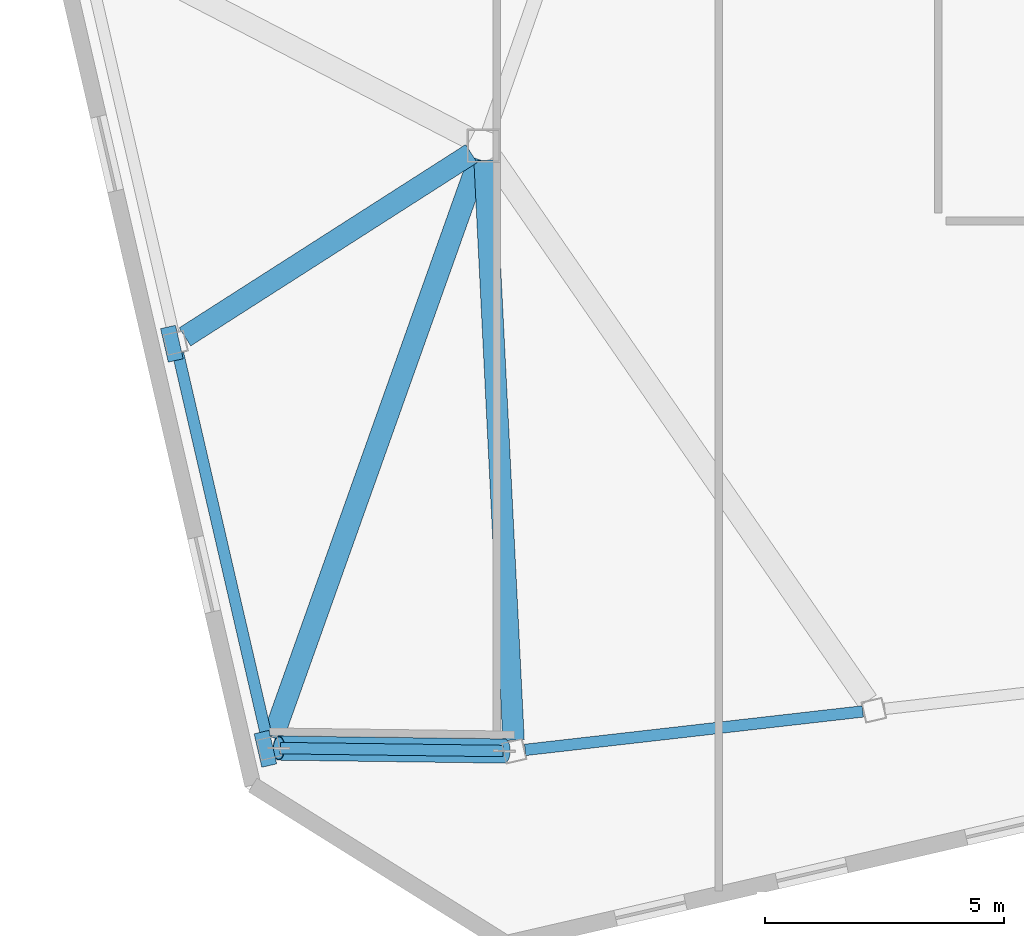
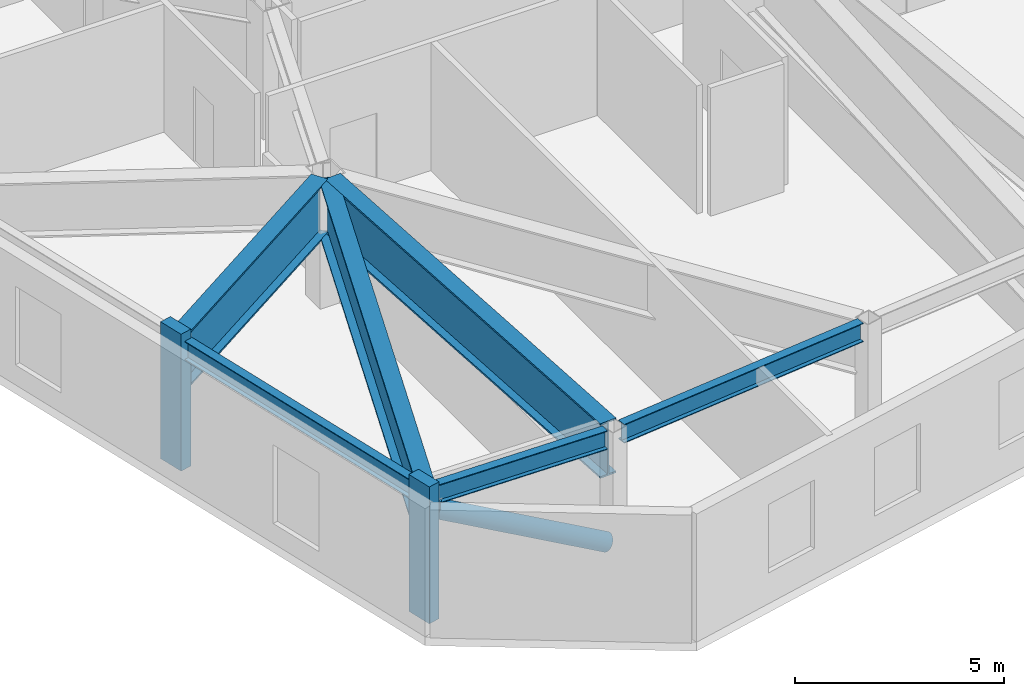
# One storey, part 5 of 23: 6 beams, 3 members.
"""IFC4 building model written with IfcOpenShell, lengths in metres."""

import ifcopenshell
import ifcopenshell.guid

model = None  # the IFC model being written
_history = None  # IfcOwnerHistory: only IFC2X3 demands one
_inside = {}  # id of a spatial element -> (the spatial element, [elements in it])
_under = {}  # id of a project, library or spatial element -> (it, [spatial elements below it])
_declared = {}  # id of a project -> (the project, [libraries it declares])
_typed = {}  # id of a type object -> (the type object, [elements of that type])
_made_of = {}  # id of a material, layer set ... -> (it, [elements and type objects made of it])


def new_model(schema):
    """Start an empty IFC model of exactly this schema.

    Asked for "IFC4X3", IfcOpenShell would pick the latest addendum, in which some entities
    have other attributes; the version numbers below select the first issue.
    IFC2X3 requires an IfcOwnerHistory on every rooted entity: one is made here for all.
    """
    global model, _history
    if schema == "IFC4X3":
        model = ifcopenshell.file(schema_version=(4, 3, 0, 0))
    else:
        model = ifcopenshell.file(schema=schema)
    _inside.clear()
    _under.clear()
    _declared.clear()
    _typed.clear()
    _made_of.clear()
    _history = None
    if model.schema == "IFC2X3":
        org = make("IfcOrganization", Name="unknown")
        user = make(
            "IfcPersonAndOrganization",
            ThePerson=make("IfcPerson", FamilyName="unknown"),
            TheOrganization=org,
        )
        app = make(
            "IfcApplication",
            ApplicationDeveloper=org,
            Version="unknown",
            ApplicationFullName="unknown",
            ApplicationIdentifier="unknown",
        )
        _history = make(
            "IfcOwnerHistory",
            OwningUser=user,
            OwningApplication=app,
            ChangeAction="ADDED",
            CreationDate=0,
        )
    return model


def make(cls, **values):
    """One entity of the class cls with the attributes given. An attribute that is None is left unset."""
    return model.create_entity(
        cls, **{name: value for name, value in values.items() if value is not None}
    )


def rooted(cls, **values):
    """An entity with a GlobalId (a new one), such as an element, a storey or a relation."""
    return make(cls, GlobalId=ifcopenshell.guid.new(), OwnerHistory=_history, **values)


def si_unit(unit_type, name, prefix=None):
    """IfcSIUnit, for example si_unit("LENGTHUNIT", "METRE", prefix="MILLI")."""
    return make("IfcSIUnit", UnitType=unit_type, Prefix=prefix, Name=name)


def assignment(units):
    """IfcUnitAssignment: the units of a project."""
    return None if units is None else make("IfcUnitAssignment", Units=units)


def point(xyz):
    """IfcCartesianPoint."""
    return None if xyz is None else make("IfcCartesianPoint", Coordinates=xyz)


def direction(xyz):
    """IfcDirection."""
    return None if xyz is None else make("IfcDirection", DirectionRatios=xyz)


def frame(location, z_axis=None, x_axis=None):
    """IfcAxis2Placement3D, a coordinate frame: its origin and axes. An axis left out is left unset."""
    return make(
        "IfcAxis2Placement3D",
        Location=point(location),
        Axis=direction(z_axis),
        RefDirection=direction(x_axis),
    )


def frame_2d(location, x_axis=None):
    """IfcAxis2Placement2D, a coordinate frame in the plane: its origin and x axis."""
    return make(
        "IfcAxis2Placement2D", Location=point(location), RefDirection=direction(x_axis)
    )


def origin():
    """The frame at (0, 0, 0) with its axes left unset."""
    return frame((0.0, 0.0, 0.0))


def origin_2d():
    """The frame at (0, 0) in the plane with its x axis left unset."""
    return frame_2d((0.0, 0.0))


def place(relative_to, where):
    """IfcLocalPlacement: puts the frame where relative to a parent placement (None: the world)."""
    return make(
        "IfcLocalPlacement", PlacementRelTo=relative_to, RelativePlacement=where
    )


def context(
    kind, dimensions, precision=None, world=None, true_north=None, identifier=None
):
    """IfcGeometricRepresentationContext, for example the 3D "Model" context."""
    return make(
        "IfcGeometricRepresentationContext",
        ContextIdentifier=identifier,
        ContextType=kind,
        CoordinateSpaceDimension=dimensions,
        Precision=precision,
        WorldCoordinateSystem=world,
        TrueNorth=true_north,
    )


def subcontext(parent, identifier, kind, view, scale=None):
    """IfcGeometricRepresentationSubContext, for example "Body" below "Model"."""
    return make(
        "IfcGeometricRepresentationSubContext",
        ContextIdentifier=identifier,
        ContextType=kind,
        ParentContext=parent,
        TargetScale=scale,
        TargetView=view,
    )


def project(units=None, contexts=None):
    """IfcProject with its units and contexts."""
    return rooted(
        "IfcProject",
        Name="project",
        RepresentationContexts=contexts,
        UnitsInContext=assignment(units),
    )


def spatial(cls, under=None, at=None, **own):
    """A site, building, storey or space (cls), placed at a placement, below another one or the project."""
    s = rooted(cls, ObjectPlacement=at, **own)
    if under is not None:
        _under.setdefault(under.id(), (under, []))[1].append(s)
    return s


def profile(cls, at=None, kind="AREA", **sizes):
    """A parametric profile (cls). Its sizes go by their IFC names, for example OverallWidth=200.0."""
    return make(cls, ProfileType=kind, Position=at, **sizes)


def rectangle(**sizes):
    """IfcRectangleProfileDef."""
    return profile("IfcRectangleProfileDef", **sizes)


def hollow_circle(**sizes):
    """IfcCircleHollowProfileDef."""
    return profile("IfcCircleHollowProfileDef", **sizes)


def i_section(**sizes):
    """IfcIShapeProfileDef."""
    return profile("IfcIShapeProfileDef", **sizes)


def extrude(swept, where, along, depth):
    """IfcExtrudedAreaSolid: the profile swept, set in the frame where, extruded along a direction by depth."""
    return make(
        "IfcExtrudedAreaSolid",
        SweptArea=swept,
        Position=where,
        ExtrudedDirection=direction(along),
        Depth=depth,
    )


def shape(context_of_items, identifier, shape_type, items):
    """IfcShapeRepresentation: the items that make up one representation, for example the "Body"."""
    return make(
        "IfcShapeRepresentation",
        ContextOfItems=context_of_items,
        RepresentationIdentifier=identifier,
        RepresentationType=shape_type,
        Items=items,
    )


def material(Name=None, Category=None):
    """IfcMaterial."""
    return make("IfcMaterial", Name=Name, Category=Category)


def material_profile(
    of_material, cross_section, Name=None, Category=None, Priority=None
):
    """IfcMaterialProfile: a cross section and its material."""
    return make(
        "IfcMaterialProfile",
        Name=Name,
        Material=of_material,
        Profile=cross_section,
        Priority=Priority,
        Category=Category,
    )


def profile_set(profiles, Name=None, composite=None):
    """IfcMaterialProfileSet."""
    return make(
        "IfcMaterialProfileSet",
        Name=Name,
        MaterialProfiles=profiles,
        CompositeProfile=composite,
    )


def made_of(thing, what):
    """Note that an element or type object is made of a material, layer set ...; save() writes the relation."""
    if what is not None:
        _made_of.setdefault(what.id(), (what, []))[1].append(thing)
    return thing


def type_object(cls, material=None, **own):
    """A type object (cls), such as IfcWallType, which elements share."""
    return made_of(rooted(cls, **own), material)


def element(
    cls,
    number,
    at=None,
    inside=None,
    cuts=None,
    type_object=None,
    material=None,
    context=None,
    identifier="Body",
    shape_type=None,
    held_by="IfcProductDefinitionShape",
    body=None,
    shapes=None,
    **own,
):
    """One element of the class cls, such as IfcWall. Its Tag is "e" and its number.

    at: its placement. inside: the storey or other place that contains it. cuts: it is an
    opening in that element (IfcRelVoidsElement). A single representation is given by context,
    identifier, shape_type and body (its items); several are given by shapes. held_by: the class
    of the entity that holds the representations. save() writes the other relations.
    """
    e = rooted(cls, Tag="e%d" % number, ObjectPlacement=at, **own)
    if body is not None:
        shapes = [shape(context, identifier, shape_type, body)]
    if shapes is not None:
        e.Representation = make(held_by, Representations=shapes)
    if inside is not None:
        _inside.setdefault(inside.id(), (inside, []))[1].append(e)
    if cuts is not None:
        rooted(
            "IfcRelVoidsElement", RelatingBuildingElement=cuts, RelatedOpeningElement=e
        )
    if type_object is not None:
        _typed.setdefault(type_object.id(), (type_object, []))[1].append(e)
    return made_of(e, material)


def aggregate(whole, parts):
    """IfcRelAggregates: a whole, such as a stair, and the parts it consists of."""
    return rooted("IfcRelAggregates", RelatingObject=whole, RelatedObjects=parts)


def save(model, path):
    """Write the relations noted so far, then the file.

    IfcRelAggregates (storeys below a building ...), IfcRelContainedInSpatialStructure (elements
    in a storey), IfcRelDefinesByType, IfcRelAssociatesMaterial and IfcRelDeclares: one each for
    every whole, place, type object, material and project.
    """
    for whole, parts in _under.values():
        aggregate(whole, parts)
    for where, things in _inside.values():
        rooted(
            "IfcRelContainedInSpatialStructure",
            RelatedElements=things,
            RelatingStructure=where,
        )
    for kind, things in _typed.values():
        rooted("IfcRelDefinesByType", RelatedObjects=things, RelatingType=kind)
    for what, things in _made_of.values():
        rooted("IfcRelAssociatesMaterial", RelatedObjects=things, RelatingMaterial=what)
    for by, libraries in _declared.values():
        rooted("IfcRelDeclares", RelatingContext=by, RelatedDefinitions=libraries)
    model.write(path)


model = new_model("IFC4")

# Units and contexts
model_context = context("Model", 3, precision=1e-05, world=origin(), true_north=direction((0.0, 1.0)))
body_context = subcontext(model_context, "Body", "Model", "MODEL_VIEW")
ifc_project = project(units=[si_unit("LENGTHUNIT", "METRE"), si_unit("AREAUNIT", "SQUARE_METRE"), si_unit("VOLUMEUNIT", "CUBIC_METRE"), si_unit("PLANEANGLEUNIT", "RADIAN"), si_unit("MASSUNIT", "GRAM", prefix="KILO")], contexts=[model_context])

# Site, building, storey
site_placement = place(None, origin())
site = spatial("IfcSite", under=ifc_project, at=site_placement, CompositionType="ELEMENT")
building_placement = place(site_placement, origin())
building = spatial("IfcBuilding", under=site, at=building_placement, Name="Tavrogorsk Clinical Tower", CompositionType="ELEMENT")
storey_placement = place(building_placement, frame((0.0, 0.0, 277.0)))
storey = spatial("IfcBuildingStorey", under=building, at=storey_placement, Name="L64", CompositionType="ELEMENT", Elevation=277.0)

# Members
ifc_material_1 = material(Name="Structural steel S440", Category="steel")
ifc_material_profile_1 = material_profile(ifc_material_1, hollow_circle(Radius=0.25390625, WallThickness=0.02001953125, at=origin_2d()), Name="CHS-508x20")
ifc_profile_set_1 = profile_set([ifc_material_profile_1], Name="Structural steel S440")
member_type_1 = type_object("IfcMemberType", Name="ExoBrace_CHS508", PredefinedType="BRACE", material=ifc_profile_set_1)
member_placement = place(storey_placement, frame((-24.07080078125, -25.883056640625, 0.412841796875), z_axis=(-0.874894907887, 0.011394569062, 0.484178752062), x_axis=(-0.013022824449, -0.999915199426, 0.0)))
element("IfcMember", 1, at=member_placement, inside=storey, type_object=member_type_1, Name="L64 Corner Exoskeleton Brace W5-S1", PredefinedType="BRACE", context=body_context, shape_type="SweptSolid", body=[
    extrude(hollow_circle(Radius=0.25390625, WallThickness=0.02001953125, at=origin_2d()), origin(), (0.0, 0.0, 1.0), 5.3994140625),
])
ifc_material_2 = material(Name="Precast concrete B45 with limestone cladding", Category="masonry")
ifc_material_profile_2 = material_profile(ifc_material_2, rectangle(XDim=0.320068359375, YDim=0.719970703125, at=origin_2d()), Name="LIMESTONE-FIN-320x720")
ifc_profile_set_2 = profile_set([ifc_material_profile_2], Name="Precast concrete B45 with limestone cladding")
member_type_2 = type_object("IfcMemberType", Name="LimestonePleatFin_320x720", PredefinedType="USERDEFINED", material=ifc_profile_set_2)
for number, where, z_axis, x_axis, name in (
    (2, (-31.035888671875, -17.35009765625, 0.0), (0.0, 0.0, 1.0), (0.974370064785, 0.224951054344, 0.0), "L64 W Pleated Stone Fin 3"),
    (3, (-29.07666015625, -25.8369140625, 0.0), (0.0, 0.0, 1.0), (0.974370064785, 0.224951054344, 0.0), "L64 W Pleated Stone Fin 4"),
):
    element("IfcMember", number, at=place(storey_placement, frame(where, z_axis=z_axis, x_axis=x_axis)), inside=storey, type_object=member_type_2, Name=name, ObjectType="FIN", PredefinedType="USERDEFINED", context=body_context, shape_type="SweptSolid", body=[
        extrude(rectangle(XDim=0.320068359375, YDim=0.719970703125, at=origin_2d()), origin(), (0.0, 0.0, 1.0), 4.0),
    ])

# Beams
ifc_material_3 = material(Name="Structural steel S390", Category="steel")
ifc_material_profile_3 = material_profile(ifc_material_3, i_section(OverallWidth=0.239990234375, OverallDepth=0.550048828125, WebThickness=0.013916015625, FlangeThickness=0.02197265625, at=origin_2d()), Name="B-550x240x14x22")
ifc_profile_set_3 = profile_set([ifc_material_profile_3], Name="Structural steel S390")
beam_type_1 = type_object("IfcBeamType", Name="SpandrelBeam_B550", PredefinedType="SPANDREL", material=ifc_profile_set_3)
beam_1_placement = place(storey_placement, frame((-23.635498046875, -25.859375, 3.465087890625), z_axis=(0.993572073137, 0.113201305126, 0.0), x_axis=(-0.113201305126, 0.993572073137, 0.0)))
element("IfcBeam", 4, at=beam_1_placement, inside=storey, type_object=beam_type_1, Name="L64 Perimeter Spandrel S1-S2", PredefinedType="SPANDREL", context=body_context, shape_type="SweptSolid", body=[
    extrude(i_section(OverallWidth=0.239990234375, OverallDepth=0.550048828125, WebThickness=0.013916015625, FlangeThickness=0.02197265625, at=origin_2d()), origin(), (0.0, 0.0, 1.0), 7.119140625),
])
beam_2_placement = place(storey_placement, frame((-30.905517578125, -17.559326171875, 3.465087890625), z_axis=(0.224950345141, -0.974370228517, 0.0), x_axis=(0.974370228517, 0.224950345141, 0.0)))
element("IfcBeam", 5, at=beam_2_placement, inside=storey, type_object=beam_type_1, Name="L64 Perimeter Spandrel W4-W5", PredefinedType="SPANDREL", context=body_context, shape_type="SweptSolid", body=[
    extrude(i_section(OverallWidth=0.239990234375, OverallDepth=0.550048828125, WebThickness=0.013916015625, FlangeThickness=0.02197265625, at=origin_2d()), origin(), (0.0, 0.0, 1.0), 8.243896484375),
])
beam_3_placement = place(storey_placement, frame((-28.765625, -25.822021484375, 3.465087890625), z_axis=(0.999915131489, -0.013028039754, 0.0), x_axis=(0.013028039754, 0.999915131489, 0.0)))
element("IfcBeam", 6, at=beam_3_placement, inside=storey, type_object=beam_type_1, Name="L64 Perimeter Spandrel W5-S1", PredefinedType="SPANDREL", context=body_context, shape_type="SweptSolid", body=[
    extrude(i_section(OverallWidth=0.239990234375, OverallDepth=0.550048828125, WebThickness=0.013916015625, FlangeThickness=0.02197265625, at=origin_2d()), origin(), (0.0, 0.0, 1.0), 4.666259765625),
])
ifc_material_4 = material(Name="Structural steel S440", Category="steel")
ifc_material_profile_4 = material_profile(ifc_material_4, i_section(OverallWidth=0.449951171875, OverallDepth=1.60009765625, WebThickness=0.031982421875, FlangeThickness=0.050048828125, at=origin_2d()), Name="DK-1600x450x32x50")
ifc_profile_set_4 = profile_set([ifc_material_profile_4], Name="Structural steel S440")
beam_type_2 = type_object("IfcBeamType", Name="TransferGirder_DK1600", PredefinedType="USERDEFINED", material=ifc_profile_set_4)
beam_4_placement = place(storey_placement, frame((-24.484619140625, -13.509521484375, 2.93994140625), z_axis=(0.049857498916, -0.998756341558, 0.0), x_axis=(0.998756341558, 0.049857498916, 0.0)))
element("IfcBeam", 7, at=beam_4_placement, inside=storey, type_object=beam_type_2, Name="L64 Radial Floor Beam S1", ObjectType="GIRDER", PredefinedType="USERDEFINED", context=body_context, shape_type="SweptSolid", body=[
    extrude(i_section(OverallWidth=0.449951171875, OverallDepth=1.60009765625, WebThickness=0.031982421875, FlangeThickness=0.050048828125, at=origin_2d()), origin(), (0.0, 0.0, 1.0), 12.15869140625),
])
beam_5_placement = place(storey_placement, frame((-24.76123046875, -13.3671875, 2.93994140625), z_axis=(-0.842332392078, -0.538958385459, 0.0), x_axis=(0.538958385459, -0.842332392078, 0.0)))
element("IfcBeam", 8, at=beam_5_placement, inside=storey, type_object=beam_type_2, Name="L64 Radial Floor Beam W4", ObjectType="GIRDER", PredefinedType="USERDEFINED", context=body_context, shape_type="SweptSolid", body=[
    extrude(i_section(OverallWidth=0.449951171875, OverallDepth=1.60009765625, WebThickness=0.031982421875, FlangeThickness=0.050048828125, at=origin_2d()), origin(), (0.0, 0.0, 1.0), 7.123779296875),
])
beam_6_placement = place(storey_placement, frame((-24.60400390625, -13.491943359375, 2.93994140625), z_axis=(-0.335800921645, -0.941932981173, 0.0), x_axis=(0.941932981173, -0.335800921645, 0.0)))
element("IfcBeam", 9, at=beam_6_placement, inside=storey, type_object=beam_type_2, Name="L64 Radial Floor Beam W5", ObjectType="GIRDER", PredefinedType="USERDEFINED", context=body_context, shape_type="SweptSolid", body=[
    extrude(i_section(OverallWidth=0.449951171875, OverallDepth=1.60009765625, WebThickness=0.031982421875, FlangeThickness=0.050048828125, at=origin_2d()), origin(), (0.0, 0.0, 1.0), 12.85400390625),
])

save(model, "model.ifc")
